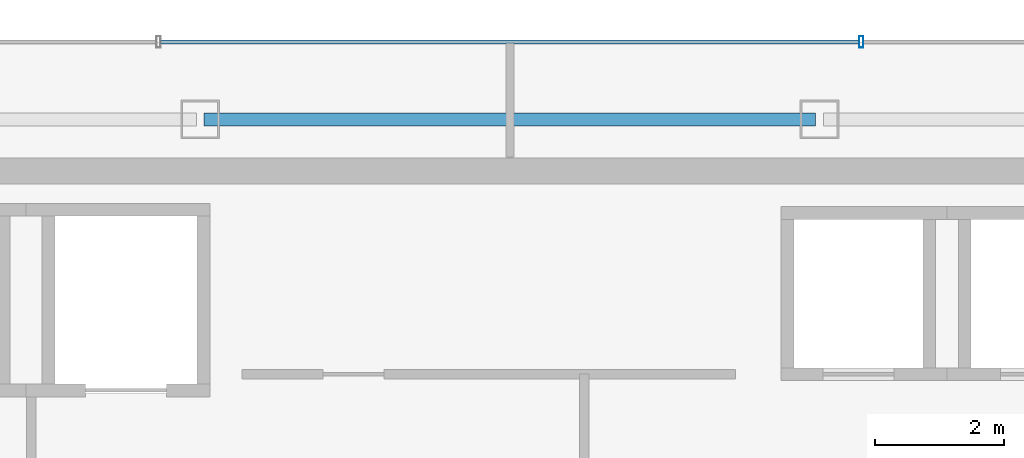
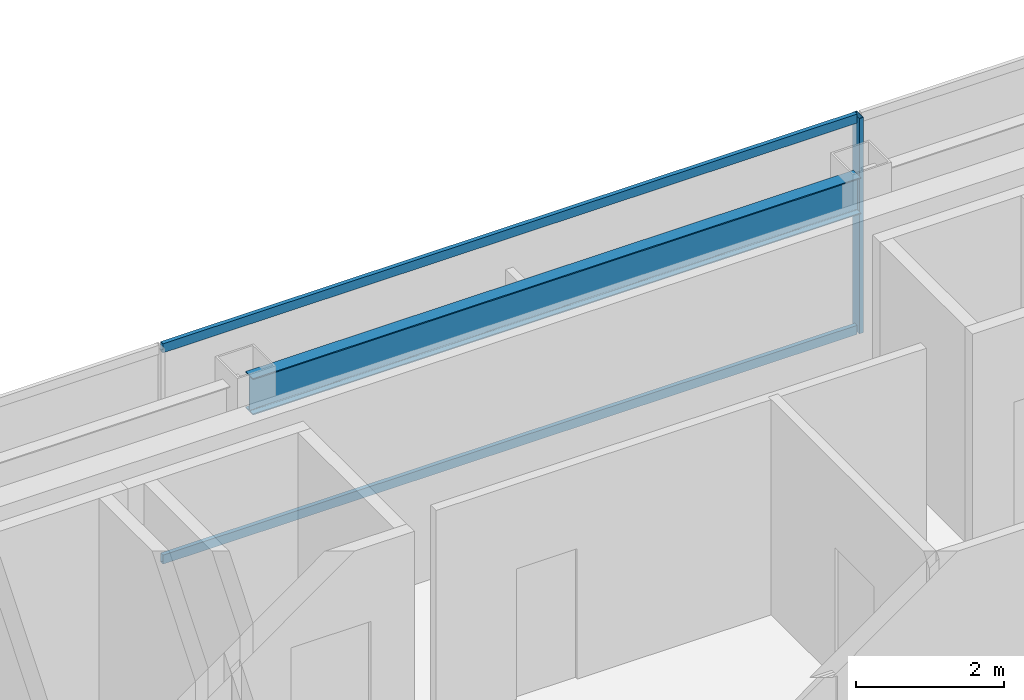
# One storey, part 22 of 32: 3 members, 1 beam, 1 element without a shape of its own.
"""IFC4 building model written with IfcOpenShell, lengths in metres."""

from ifc_helpers import new_model, si_unit, direction, frame, origin, origin_2d, place, context, subcontext, project, spatial, hollow_rectangle, i_section, extrude, material, material_profile, profile_set, type_object, element, aggregate, save


model = new_model("IFC4")

# Units and contexts
model_context = context("Model", 3, precision=1e-05, world=origin(), true_north=direction((0.0, 1.0)))
body_context = subcontext(model_context, "Body", "Model", "MODEL_VIEW")
ifc_project = project(units=[si_unit("LENGTHUNIT", "METRE"), si_unit("AREAUNIT", "SQUARE_METRE"), si_unit("VOLUMEUNIT", "CUBIC_METRE"), si_unit("PLANEANGLEUNIT", "RADIAN"), si_unit("MASSUNIT", "GRAM", prefix="KILO")], contexts=[model_context])

# Site, building, storey
site_placement = place(None, origin())
site = spatial("IfcSite", under=ifc_project, at=site_placement, CompositionType="ELEMENT")
building_placement = place(site_placement, origin())
building = spatial("IfcBuilding", under=site, at=building_placement, Name="Saevonmaru Cultural Tower", CompositionType="ELEMENT")
storey_placement = place(building_placement, frame((0.0, 0.0, 268.60009765625)))
storey = spatial("IfcBuildingStorey", under=building, at=storey_placement, Name="L63", CompositionType="ELEMENT", Elevation=268.60009765625)

# Beam
ifc_material_1 = material(Name="Steel SM355", Category="steel")
ifc_material_profile_1 = material_profile(ifc_material_1, i_section(OverallWidth=0.199951171875, OverallDepth=0.60009765625, WebThickness=0.010986328125, FlangeThickness=0.01708984375, FilletRadius=0.02197265625, at=origin_2d()), Name="H-600x200x11x17")
ifc_profile_set_1 = profile_set([ifc_material_profile_1], Name="Steel SM355")
beam_type = type_object("IfcBeamType", Name="BM-SP-H600", PredefinedType="SPANDREL", material=ifc_profile_set_1)
beam_placement = place(storey_placement, frame((25.260009765625, 54.800048828125, 3.25), z_axis=(1.0, 0.0, 0.0), x_axis=(0.0, 1.0, 0.0)))
element("IfcBeam", 1, at=beam_placement, inside=storey, type_object=beam_type, Name="L63 North Spine Girder 3", PredefinedType="SPANDREL", context=body_context, shape_type="SweptSolid", body=[
    extrude(i_section(OverallWidth=0.199951171875, OverallDepth=0.60009765625, WebThickness=0.010986328125, FlangeThickness=0.01708984375, FilletRadius=0.02197265625, at=origin_2d()), origin(), (0.0, 0.0, 1.0), 9.47998046875),
])

# Curtain wall, members
ifc_material_2 = material(Name="Satin Bronze Anodised Aluminium", Category="aluminium")
curtain_wall_type = type_object("IfcCurtainWallType", Name="CW-TYP-B", PredefinedType="NOTDEFINED", material=ifc_material_2)
curtain_wall_placement = place(storey_placement, origin())
curtain_wall = element("IfcCurtainWall", 2, at=curtain_wall_placement, inside=storey, type_object=curtain_wall_type, Name="L63 North Spine Unitised Curtain Wall E10B", PredefinedType="NOTDEFINED")
ifc_material_profile_2 = material_profile(ifc_material_2, hollow_rectangle(XDim=0.06494140625, YDim=0.179931640625, WallThickness=0.00390625, at=origin_2d()), Name="ALU-MULL-180x65x4")
ifc_profile_set_2 = profile_set([ifc_material_profile_2], Name="Satin Bronze Anodised Aluminium")
member_type_1 = type_object("IfcMemberType", Name="ML-CW-180x65", PredefinedType="MULLION", material=ifc_profile_set_2)
member_1_placement = place(storey_placement, frame((35.44677734375, 56.0, 0.0), z_axis=(0.0, 0.0, 1.0), x_axis=(-1.0, 0.0, 0.0)))
member_1 = element("IfcMember", 3, at=member_1_placement, type_object=member_type_1, Name="CW-TW-L63-E10B mullion 2", PredefinedType="MULLION", context=body_context, shape_type="SweptSolid", body=[
    extrude(hollow_rectangle(XDim=0.06494140625, YDim=0.179931640625, WallThickness=0.00390625, at=origin_2d()), origin(), (0.0, 0.0, 1.0), 3.5498046875),
])
ifc_material_profile_3 = material_profile(ifc_material_2, hollow_rectangle(XDim=0.06494140625, YDim=0.14990234375, WallThickness=0.00390625, at=origin_2d()), Name="ALU-TRAN-150x65x4")
ifc_profile_set_3 = profile_set([ifc_material_profile_3], Name="Satin Bronze Anodised Aluminium")
member_type_2 = type_object("IfcMemberType", Name="TR-CW-150x65", PredefinedType="USERDEFINED", material=ifc_profile_set_3)
member_2_placement = place(storey_placement, frame((35.4140625, 56.0, 0.032470703125), z_axis=(-1.0, 0.0, 0.0), x_axis=(0.0, -1.0, 0.0)))
member_2 = element("IfcMember", 4, at=member_2_placement, type_object=member_type_2, Name="CW-TW-L63-E10B transom 2.1", ObjectType="TRANSOM", PredefinedType="USERDEFINED", context=body_context, shape_type="SweptSolid", body=[
    extrude(hollow_rectangle(XDim=0.06494140625, YDim=0.14990234375, WallThickness=0.00390625, at=origin_2d()), origin(), (0.0, 0.0, 1.0), 10.828125),
])
member_3_placement = place(storey_placement, frame((35.4140625, 56.0, 3.517333984375), z_axis=(-1.0, 0.0, 0.0), x_axis=(0.0, -1.0, 0.0)))
member_3 = element("IfcMember", 5, at=member_3_placement, type_object=member_type_2, Name="CW-TW-L63-E10B transom 2.2", ObjectType="TRANSOM", PredefinedType="USERDEFINED", context=body_context, shape_type="SweptSolid", body=[
    extrude(hollow_rectangle(XDim=0.06494140625, YDim=0.14990234375, WallThickness=0.00390625, at=origin_2d()), origin(), (0.0, 0.0, 1.0), 10.828125),
])
aggregate(curtain_wall, [member_1, member_2, member_3])

save(model, "model.ifc")
